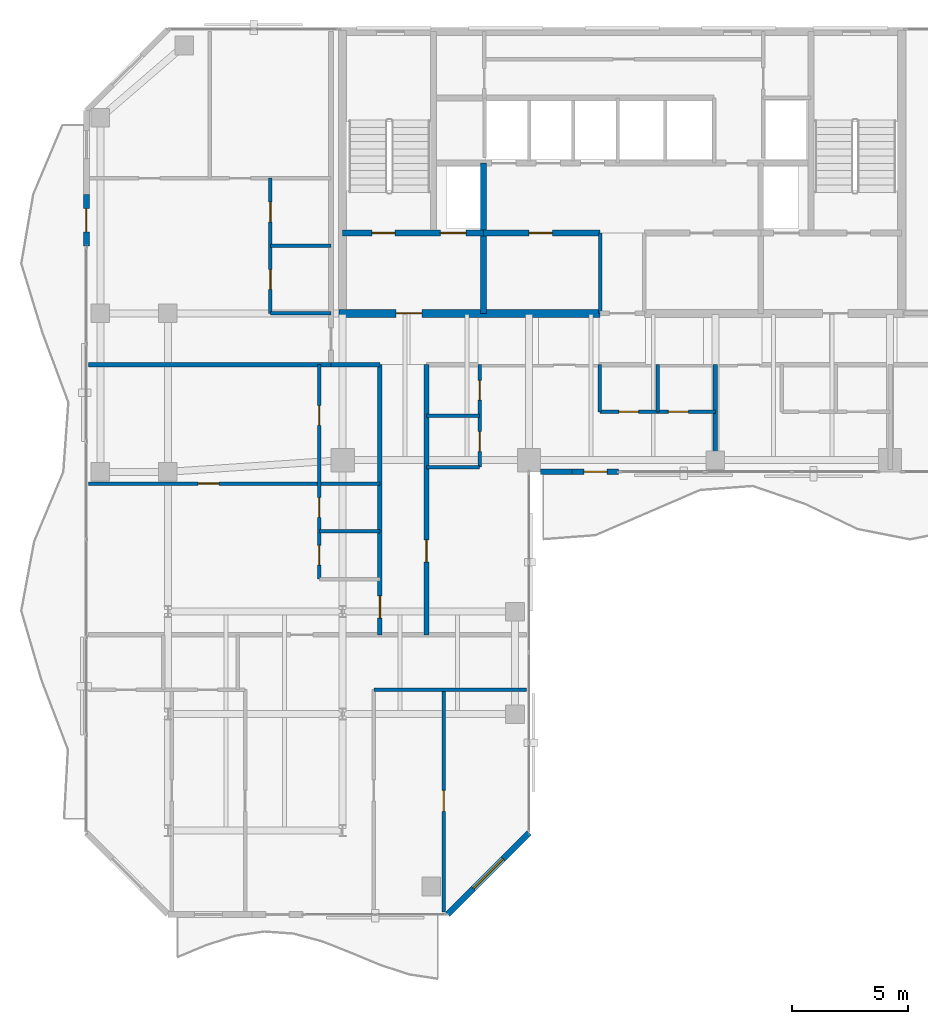
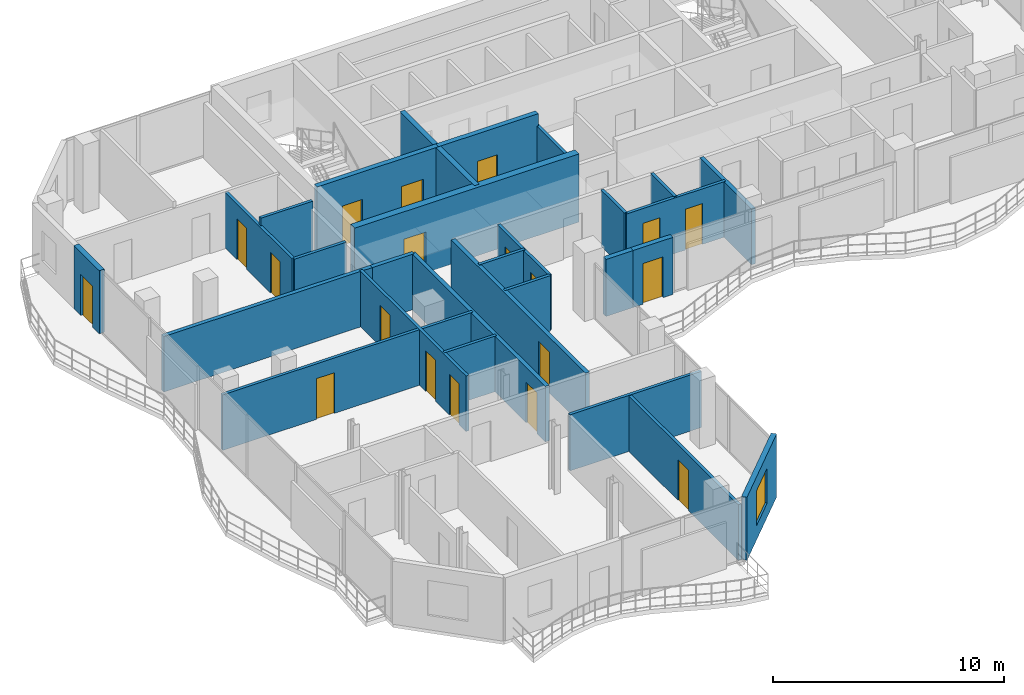
# One storey, part 18 of 24: 28 walls, 19 doors, 1 window, 20 openings.
"""IFC4 building model written with IfcOpenShell, lengths in metres."""

from ifc_helpers import new_model, si_unit, direction, frame, frame_2d, origin, place, context, subcontext, project, spatial, rectangle, extrude, material, layer, layer_set, type_object, element, fill, save


model = new_model("IFC4")

# Units and contexts
model_context = context("Model", 3, precision=1e-05, world=origin(), true_north=direction((0.0, 1.0)))
body_context = subcontext(model_context, "Body", "Model", "MODEL_VIEW")
ifc_project = project(units=[si_unit("LENGTHUNIT", "METRE"), si_unit("AREAUNIT", "SQUARE_METRE"), si_unit("VOLUMEUNIT", "CUBIC_METRE"), si_unit("PLANEANGLEUNIT", "RADIAN"), si_unit("MASSUNIT", "GRAM", prefix="KILO")], contexts=[model_context])

# Site, building, storey
site_placement = place(None, origin())
site = spatial("IfcSite", under=ifc_project, at=site_placement, CompositionType="ELEMENT")
building_placement = place(site_placement, origin())
building = spatial("IfcBuilding", under=site, at=building_placement, Name="Catumbela Crestline Tower", CompositionType="ELEMENT")
storey_placement = place(building_placement, frame((0.0, 0.0, 161.4)))
storey = spatial("IfcBuildingStorey", under=building, at=storey_placement, Name="L41", CompositionType="ELEMENT", Elevation=161.4)

# Wall
ifc_material_1 = material(Name="Concrete C50/60", Category="concrete")
ifc_layer_1 = layer(ifc_material_1, 0.25, Name="Concrete C50/60")
ifc_layer_set_1 = layer_set([ifc_layer_1], Name="Concrete C50/60")
wall_type_1 = type_object("IfcWallType", Name="CW-250D", PredefinedType="SHEAR", material=ifc_layer_set_1)
wall_1_placement = place(storey_placement, frame((22.05, 30.8, 0.0), z_axis=(0.0, 0.0, 1.0), x_axis=(0.0, 1.0, 0.0)))
element("IfcWall", 1, at=wall_1_placement, inside=storey, type_object=wall_type_1, Name="L41 Structural Core Shear Wall FFW", PredefinedType="SHEAR", context=body_context, shape_type="SweptSolid", body=[
    extrude(rectangle(XDim=6.45, YDim=0.25, at=frame_2d((3.225, 0.0))), origin(), (0.0, 0.0, 1.0), 3.6),
])

# Wall, openings, doors
wall_2_placement = place(storey_placement, frame((16.0, 34.25, 0.0), z_axis=(0.0, 0.0, 1.0), x_axis=(1.0, 0.0, 0.0)))
wall_2 = element("IfcWall", 2, at=wall_2_placement, inside=storey, type_object=wall_type_1, Name="L41 Structural Core Shear Wall ST1S", PredefinedType="SHEAR", context=body_context, shape_type="SweptSolid", body=[
    extrude(rectangle(XDim=6.05, YDim=0.25, at=frame_2d((3.025, 0.0))), origin(), (0.0, 0.0, 1.0), 3.6),
])
opening_1_placement = place(wall_2_placement, frame((1.25, 0.0, 0.0)))
opening_1 = element("IfcOpeningElement", 3, at=opening_1_placement, cuts=wall_2, Name="Opening DF9-100", PredefinedType="OPENING", context=body_context, shape_type="SweptSolid", body=[
    extrude(rectangle(XDim=1.0, YDim=2.15, at=frame_2d((0.5, 1.075))), frame((0.0, 0.135, 0.0), z_axis=(0.0, -1.0, 0.0), x_axis=(1.0, 0.0, 0.0)), (0.0, 0.0, 1.0), 0.27),
])
opening_2_placement = place(wall_2_placement, frame((4.2, 0.0, 0.0)))
opening_2 = element("IfcOpeningElement", 4, at=opening_2_placement, cuts=wall_2, Name="Opening LD-110", PredefinedType="OPENING", context=body_context, shape_type="SweptSolid", body=[
    extrude(rectangle(XDim=1.1, YDim=2.15, at=frame_2d((0.55, 1.075))), frame((0.0, 0.135, 0.0), z_axis=(0.0, -1.0, 0.0), x_axis=(1.0, 0.0, 0.0)), (0.0, 0.0, 1.0), 0.27),
])
ifc_material_2 = material(Name="Stainless steel EN 1.4401", Category="steel")
door_type_1 = type_object("IfcDoorType", Name="DF9-100", OperationType="NOTDEFINED", PredefinedType="DOOR", material=ifc_material_2)
door_1_placement = place(opening_1_placement, origin())
door_1 = element("IfcDoor", 5, at=door_1_placement, inside=storey, type_object=door_type_1, Name="L41 Interior Door DR-L41-ST01", OperationType="SINGLE_SWING_LEFT", OverallHeight=2.15, OverallWidth=1.0, PredefinedType="DOOR", context=body_context, shape_type="SweptSolid", body=[
    extrude(rectangle(XDim=1.0, YDim=2.15, at=frame_2d((0.5, 1.075))), frame((0.0, 0.025, 0.0), z_axis=(0.0, -1.0, 0.0), x_axis=(1.0, 0.0, 0.0)), (0.0, 0.0, 1.0), 0.05),
])
fill(opening_1, door_1)
door_type_2 = type_object("IfcDoorType", Name="LD-110", OperationType="NOTDEFINED", PredefinedType="DOOR", material=ifc_material_2)
door_2_placement = place(opening_2_placement, origin())
door_2 = element("IfcDoor", 6, at=door_2_placement, inside=storey, type_object=door_type_2, Name="L41 Lift Landing Sliding Door FL-01", OperationType="DOUBLE_DOOR_SLIDING", OverallHeight=2.15, OverallWidth=1.1, PredefinedType="DOOR", context=body_context, shape_type="SweptSolid", body=[
    extrude(rectangle(XDim=1.1, YDim=2.15, at=frame_2d((0.55, 1.075))), frame((0.0, 0.025, 0.0), z_axis=(0.0, -1.0, 0.0), x_axis=(1.0, 0.0, 0.0)), (0.0, 0.0, 1.0), 0.05),
])
fill(opening_2, door_2)

# Wall, opening, door
wall_3_placement = place(storey_placement, frame((22.05, 34.25, 0.0), z_axis=(0.0, 0.0, 1.0), x_axis=(1.0, 0.0, 0.0)))
wall_3 = element("IfcWall", 7, at=wall_3_placement, inside=storey, type_object=wall_type_1, Name="L41 Structural Core Shear Wall LIFTS-W", PredefinedType="SHEAR", context=body_context, shape_type="SweptSolid", body=[
    extrude(rectangle(XDim=5.0, YDim=0.25, at=frame_2d((2.5, 0.0))), origin(), (0.0, 0.0, 1.0), 3.6),
])
opening_3_placement = place(wall_3_placement, frame((1.95, 0.0, 0.0)))
opening_3 = element("IfcOpeningElement", 8, at=opening_3_placement, cuts=wall_3, Name="Opening DF9-100", PredefinedType="OPENING", context=body_context, shape_type="SweptSolid", body=[
    extrude(rectangle(XDim=1.0, YDim=2.15, at=frame_2d((0.5, 1.075))), frame((0.0, 0.135, 0.0), z_axis=(0.0, -1.0, 0.0), x_axis=(1.0, 0.0, 0.0)), (0.0, 0.0, 1.0), 0.27),
])
door_3_placement = place(opening_3_placement, origin())
door_3 = element("IfcDoor", 9, at=door_3_placement, inside=storey, type_object=door_type_1, Name="L41 Interior Door DR-L41-RECL1", OperationType="SINGLE_SWING_LEFT", OverallHeight=2.15, OverallWidth=1.0, PredefinedType="DOOR", context=body_context, shape_type="SweptSolid", body=[
    extrude(rectangle(XDim=1.0, YDim=2.15, at=frame_2d((0.5, 1.075))), frame((0.0, 0.025, 0.0), z_axis=(0.0, -1.0, 0.0), x_axis=(1.0, 0.0, 0.0)), (0.0, 0.0, 1.0), 0.05),
])
fill(opening_3, door_3)

ifc_layer_2 = layer(ifc_material_1, 0.35, Name="Concrete C50/60")
ifc_layer_set_2 = layer_set([ifc_layer_2], Name="Concrete C50/60")
wall_type_2 = type_object("IfcWallType", Name="CW-350B", PredefinedType="SHEAR", material=ifc_layer_set_2)
wall_4_placement = place(storey_placement, frame((15.85, 30.8, 0.0), z_axis=(0.0, 0.0, 1.0), x_axis=(1.0, 0.0, 0.0)))
wall_4 = element("IfcWall", 10, at=wall_4_placement, inside=storey, type_object=wall_type_2, Name="L41 Structural Core Shear Wall SW", PredefinedType="SHEAR", context=body_context, shape_type="SweptSolid", body=[
    extrude(rectangle(XDim=11.2, YDim=0.35, at=frame_2d((5.6, 0.0))), origin(), (0.0, 0.0, 1.0), 3.6),
])
opening_4_placement = place(wall_4_placement, frame((2.45, 0.0, 0.0)))
opening_4 = element("IfcOpeningElement", 11, at=opening_4_placement, cuts=wall_4, Name="Opening DF9-110", PredefinedType="OPENING", context=body_context, shape_type="SweptSolid", body=[
    extrude(rectangle(XDim=1.1, YDim=2.15, at=frame_2d((0.55, 1.075))), frame((0.0, 0.185, 0.0), z_axis=(0.0, -1.0, 0.0), x_axis=(1.0, 0.0, 0.0)), (0.0, 0.0, 1.0), 0.37),
])
door_type_3 = type_object("IfcDoorType", Name="DF9-110", OperationType="NOTDEFINED", PredefinedType="DOOR", material=ifc_material_2)
door_4_placement = place(opening_4_placement, origin())
door_4 = element("IfcDoor", 12, at=door_4_placement, inside=storey, type_object=door_type_3, Name="L41 Interior Door DR-L41-FFW-S", OperationType="SINGLE_SWING_LEFT", OverallHeight=2.15, OverallWidth=1.1, PredefinedType="DOOR", context=body_context, shape_type="SweptSolid", body=[
    extrude(rectangle(XDim=1.1, YDim=2.15, at=frame_2d((0.55, 1.075))), frame((0.0, 0.025, 0.0), z_axis=(0.0, -1.0, 0.0), x_axis=(1.0, 0.0, 0.0)), (0.0, 0.0, 1.0), 0.05),
])
fill(opening_4, door_4)

# Wall
ifc_material_3 = material(Name="Acoustic gypsum and mineral-wool partition")
ifc_layer_3 = layer(ifc_material_3, 0.2, Name="Acoustic gypsum and mineral-wool partition")
ifc_layer_set_3 = layer_set([ifc_layer_3], Name="Acoustic gypsum and mineral-wool partition")
wall_type_3 = type_object("IfcWallType", Name="WC-200", PredefinedType="PARTITIONING", material=ifc_layer_set_3)
wall_5_placement = place(storey_placement, frame((15.5, 28.6, 0.0), z_axis=(0.0, 0.0, 1.0), x_axis=(1.0, 0.0, 0.0)))
element("IfcWall", 13, at=wall_5_placement, inside=storey, type_object=wall_type_3, Name="L41 Interior Partition PW-L41-RCWL", PredefinedType="PARTITIONING", context=body_context, shape_type="SweptSolid", body=[
    extrude(rectangle(XDim=2.1, YDim=0.2, at=frame_2d((1.05, 0.0))), origin(), (0.0, 0.0, 1.0), 2.93),
])

# Wall, opening, door
wall_6_placement = place(storey_placement, frame((17.6, 17.0, 0.0), z_axis=(0.0, 0.0, 1.0), x_axis=(0.0, 1.0, 0.0)))
wall_6 = element("IfcWall", 14, at=wall_6_placement, inside=storey, type_object=wall_type_3, Name="L41 Interior Partition PW-L41-WL1-ENT", PredefinedType="PARTITIONING", context=body_context, shape_type="SweptSolid", body=[
    extrude(rectangle(XDim=11.6, YDim=0.2, at=frame_2d((5.8, 0.0))), origin(), (0.0, 0.0, 1.0), 2.93),
])
opening_5_placement = place(wall_6_placement, frame((0.723, 0.0, 0.0)))
opening_5 = element("IfcOpeningElement", 15, at=opening_5_placement, cuts=wall_6, Name="Opening DF6-095", PredefinedType="OPENING", context=body_context, shape_type="SweptSolid", body=[
    extrude(rectangle(XDim=0.95, YDim=2.15, at=frame_2d((0.475, 1.075))), frame((0.0, 0.11, 0.0), z_axis=(0.0, -1.0, 0.0), x_axis=(1.0, 0.0, 0.0)), (0.0, 0.0, 1.0), 0.22),
])
ifc_material_4 = material(Name="Aluminium alloy AW-6060-T66", Category="aluminium")
door_type_4 = type_object("IfcDoorType", Name="DF6-095", OperationType="NOTDEFINED", PredefinedType="DOOR", material=ifc_material_4)
door_5_placement = place(opening_5_placement, origin())
door_5 = element("IfcDoor", 16, at=door_5_placement, inside=storey, type_object=door_type_4, Name="L41 Interior Door DR-L41-WL1-ENT", OperationType="SINGLE_SWING_RIGHT", OverallHeight=2.15, OverallWidth=0.95, PredefinedType="DOOR", context=body_context, shape_type="SweptSolid", body=[
    extrude(rectangle(XDim=0.95, YDim=2.15, at=frame_2d((0.475, 1.075))), frame((0.0, 0.025, 0.0), z_axis=(0.0, -1.0, 0.0), x_axis=(1.0, 0.0, 0.0)), (0.0, 0.0, 1.0), 0.05),
])
fill(opening_5, door_5)

wall_7_placement = place(storey_placement, frame((19.6, 17.0, 0.0), z_axis=(0.0, 0.0, 1.0), x_axis=(0.0, 1.0, 0.0)))
wall_7 = element("IfcWall", 17, at=wall_7_placement, inside=storey, type_object=wall_type_3, Name="L41 Interior Partition PW-L41-WR1-ENT", PredefinedType="PARTITIONING", context=body_context, shape_type="SweptSolid", body=[
    extrude(rectangle(XDim=11.6, YDim=0.2, at=frame_2d((5.8, 0.0))), origin(), (0.0, 0.0, 1.0), 2.93),
])
opening_6_placement = place(wall_7_placement, frame((3.125, 0.0, 0.0)))
opening_6 = element("IfcOpeningElement", 18, at=opening_6_placement, cuts=wall_7, Name="Opening DF6-095", PredefinedType="OPENING", context=body_context, shape_type="SweptSolid", body=[
    extrude(rectangle(XDim=0.95, YDim=2.15, at=frame_2d((0.475, 1.075))), frame((0.0, 0.11, 0.0), z_axis=(0.0, -1.0, 0.0), x_axis=(1.0, 0.0, 0.0)), (0.0, 0.0, 1.0), 0.22),
])
door_6_placement = place(opening_6_placement, origin())
door_6 = element("IfcDoor", 19, at=door_6_placement, inside=storey, type_object=door_type_4, Name="L41 Interior Door DR-L41-WR1-ENT", OperationType="SINGLE_SWING_LEFT", OverallHeight=2.15, OverallWidth=0.95, PredefinedType="DOOR", context=body_context, shape_type="SweptSolid", body=[
    extrude(rectangle(XDim=0.95, YDim=2.15, at=frame_2d((0.475, 1.075))), frame((0.0, 0.025, 0.0), z_axis=(0.0, -1.0, 0.0), x_axis=(1.0, 0.0, 0.0)), (0.0, 0.0, 1.0), 0.05),
])
fill(opening_6, door_6)

# Wall, opening, window
ifc_material_5 = material(Name="Angolan grey-ochre granite", Category="masonry")
ifc_layer_4 = layer(ifc_material_5, 0.25, Name="Angolan grey-ochre granite")
ifc_layer_set_4 = layer_set([ifc_layer_4], Name="Angolan grey-ochre granite")
wall_type_4 = type_object("IfcWallType", Name="WE-250", PredefinedType="STANDARD", material=ifc_layer_set_4)
wall_8_placement = place(storey_placement, frame((20.5, 5.0, 0.0), z_axis=(0.0, 0.0, 1.0), x_axis=(0.707106781187, 0.707106781187, 0.0)))
wall_8 = element("IfcWall", 20, at=wall_8_placement, inside=storey, type_object=wall_type_4, Name="L41 Granite Punched Window Wall 1-1", PredefinedType="STANDARD", context=body_context, shape_type="SweptSolid", body=[
    extrude(rectangle(XDim=4.9497, YDim=0.25, at=frame_2d((2.4748, 0.0))), origin(), (0.0, 0.0, 1.0), 3.33),
])
opening_7_placement = place(wall_8_placement, frame((1.5749, 0.0, 0.75)))
opening_7 = element("IfcOpeningElement", 21, at=opening_7_placement, cuts=wall_8, Name="Opening WN-01", PredefinedType="OPENING", context=body_context, shape_type="SweptSolid", body=[
    extrude(rectangle(XDim=1.8, YDim=1.85, at=frame_2d((0.9, 0.925))), frame((0.0, 0.135, 0.0), z_axis=(0.0, -1.0, 0.0), x_axis=(1.0, 0.0, 0.0)), (0.0, 0.0, 1.0), 0.27),
])
ifc_material_6 = material(Name="Low-E laminated solar-control double glazing", Category="glass")
window_type = type_object("IfcWindowType", Name="WF-1800", PartitioningType="SINGLE_PANEL", PredefinedType="WINDOW", material=ifc_material_6)
window_placement = place(opening_7_placement, origin())
window = element("IfcWindow", 22, at=window_placement, inside=storey, type_object=window_type, Name="L41 Facade Vision Window 237", OverallHeight=1.85, OverallWidth=1.8, PartitioningType="SINGLE_PANEL", PredefinedType="WINDOW", context=body_context, shape_type="SweptSolid", body=[
    extrude(rectangle(XDim=1.8, YDim=1.85, at=frame_2d((0.9, 0.925))), frame((0.0, 0.03, 0.0), z_axis=(0.0, -1.0, 0.0), x_axis=(1.0, 0.0, 0.0)), (0.0, 0.0, 1.0), 0.06),
])
fill(opening_7, window)

# Wall, opening, door
wall_9_placement = place(storey_placement, frame((25.85, 24.0, 0.0), z_axis=(0.0, 0.0, 1.0), x_axis=(1.0, 0.0, 0.0)))
wall_9 = element("IfcWall", 23, at=wall_9_placement, inside=storey, type_object=wall_type_4, Name="L41 Exterior Threshold Portal Wall DR-L41-WBAL-1", PredefinedType="STANDARD", context=body_context, shape_type="SweptSolid", body=[
    extrude(rectangle(XDim=2.0, YDim=0.25, at=frame_2d((1.0, 0.0))), origin(), (0.0, 0.0, 1.0), 3.01),
])
opening_8_placement = place(wall_9_placement, frame((0.5, 0.0, 0.0)))
opening_8 = element("IfcOpeningElement", 24, at=opening_8_placement, cuts=wall_9, Name="Opening DB-L41-1", PredefinedType="OPENING", context=body_context, shape_type="SweptSolid", body=[
    extrude(rectangle(XDim=1.0, YDim=2.15, at=frame_2d((0.5, 1.075))), frame((0.0, 0.135, 0.0), z_axis=(0.0, -1.0, 0.0), x_axis=(1.0, 0.0, 0.0)), (0.0, 0.0, 1.0), 0.27),
])
door_type_5 = type_object("IfcDoorType", Name="DB-1000", OperationType="NOTDEFINED", PredefinedType="DOOR", material=ifc_material_4)
door_7_placement = place(opening_8_placement, origin())
door_7 = element("IfcDoor", 25, at=door_7_placement, inside=storey, type_object=door_type_5, Name="L41 Wave Balcony Terrace Door 1", OperationType="SINGLE_SWING_LEFT", OverallHeight=2.15, OverallWidth=1.0, PredefinedType="DOOR", context=body_context, shape_type="SweptSolid", body=[
    extrude(rectangle(XDim=1.0, YDim=2.15, at=frame_2d((0.5, 1.075))), frame((0.0, 0.025, 0.0), z_axis=(0.0, -1.0, 0.0), x_axis=(1.0, 0.0, 0.0)), (0.0, 0.0, 1.0), 0.05),
])
fill(opening_8, door_7)

# Wall
wall_10_placement = place(storey_placement, frame((24.5, 24.0, 0.0), z_axis=(0.0, 0.0, 1.0), x_axis=(1.0, 0.0, 0.0)))
element("IfcWall", 26, at=wall_10_placement, inside=storey, type_object=wall_type_4, Name="L41 Granite Punched Window Wall 3-1", PredefinedType="STANDARD", context=body_context, shape_type="SweptSolid", body=[
    extrude(rectangle(XDim=1.35, YDim=0.25, at=frame_2d((0.675, 0.0))), origin(), (0.0, 0.0, 1.0), 3.01),
])

# Wall, opening, door
wall_11_placement = place(storey_placement, frame((5.0, 35.9, 0.0), z_axis=(0.0, 0.0, 1.0), x_axis=(0.0, -1.0, 0.0)))
wall_11 = element("IfcWall", 27, at=wall_11_placement, inside=storey, type_object=wall_type_4, Name="L41 Exterior Threshold Portal Wall DR-L41-WBAL-4", PredefinedType="STANDARD", context=body_context, shape_type="SweptSolid", body=[
    extrude(rectangle(XDim=2.2, YDim=0.25, at=frame_2d((1.1, 0.0))), origin(), (0.0, 0.0, 1.0), 3.33),
])
opening_9_placement = place(wall_11_placement, frame((0.6, 0.0, 0.0)))
opening_9 = element("IfcOpeningElement", 28, at=opening_9_placement, cuts=wall_11, Name="Opening DB-L41-4", PredefinedType="OPENING", context=body_context, shape_type="SweptSolid", body=[
    extrude(rectangle(XDim=1.0, YDim=2.15, at=frame_2d((0.5, 1.075))), frame((0.0, 0.135, 0.0), z_axis=(0.0, -1.0, 0.0), x_axis=(1.0, 0.0, 0.0)), (0.0, 0.0, 1.0), 0.27),
])
door_8_placement = place(opening_9_placement, origin())
door_8 = element("IfcDoor", 29, at=door_8_placement, inside=storey, type_object=door_type_5, Name="L41 Wave Balcony Terrace Door 4", OperationType="SINGLE_SWING_RIGHT", OverallHeight=2.15, OverallWidth=1.0, PredefinedType="DOOR", context=body_context, shape_type="SweptSolid", body=[
    extrude(rectangle(XDim=1.0, YDim=2.15, at=frame_2d((0.5, 1.075))), frame((0.0, 0.025, 0.0), z_axis=(0.0, -1.0, 0.0), x_axis=(1.0, 0.0, 0.0)), (0.0, 0.0, 1.0), 0.05),
])
fill(opening_9, door_8)

# Walls
ifc_layer_5 = layer(ifc_material_3, 0.15, Name="Acoustic gypsum and mineral-wool partition")
ifc_layer_set_5 = layer_set([ifc_layer_5], Name="Acoustic gypsum and mineral-wool partition")
wall_type_5 = type_object("IfcWallType", Name="WP-150", PredefinedType="PARTITIONING", material=ifc_layer_set_5)
wall_12_placement = place(storey_placement, frame((12.9, 30.8, 0.0), z_axis=(0.0, 0.0, 1.0), x_axis=(1.0, 0.0, 0.0)))
element("IfcWall", 30, at=wall_12_placement, inside=storey, type_object=wall_type_5, Name="L41 Interior Partition PW-L41-NW1-KBS", PredefinedType="PARTITIONING", context=body_context, shape_type="SweptSolid", body=[
    extrude(rectangle(XDim=2.6, YDim=0.15, at=frame_2d((1.3, 0.0))), origin(), (0.0, 0.0, 1.0), 2.93),
])
wall_13_placement = place(storey_placement, frame((12.9, 33.704, 0.0), z_axis=(0.0, 0.0, 1.0), x_axis=(1.0, 0.0, 0.0)))
element("IfcWall", 31, at=wall_13_placement, inside=storey, type_object=wall_type_5, Name="L41 Interior Partition PW-L41-NW1-KBM", PredefinedType="PARTITIONING", context=body_context, shape_type="SweptSolid", body=[
    extrude(rectangle(XDim=2.6, YDim=0.15, at=frame_2d((1.3, 0.0))), origin(), (0.0, 0.0, 1.0), 3.33),
])

# Wall, openings, doors
wall_14_placement = place(storey_placement, frame((12.9, 30.8, 0.0), z_axis=(0.0, 0.0, 1.0), x_axis=(0.0, 1.0, 0.0)))
wall_14 = element("IfcWall", 32, at=wall_14_placement, inside=storey, type_object=wall_type_5, Name="L41 Interior Partition PW-L41-NW1-LK", PredefinedType="PARTITIONING", context=body_context, shape_type="SweptSolid", body=[
    extrude(rectangle(XDim=5.808, YDim=0.15, at=frame_2d((2.904, 0.0))), origin(), (0.0, 0.0, 1.0), 2.93),
])
opening_10_placement = place(wall_14_placement, frame((1.027, 0.0, 0.0)))
opening_10 = element("IfcOpeningElement", 33, at=opening_10_placement, cuts=wall_14, Name="Opening DI-085", PredefinedType="OPENING", context=body_context, shape_type="SweptSolid", body=[
    extrude(rectangle(XDim=0.85, YDim=2.15, at=frame_2d((0.425, 1.075))), frame((0.0, 0.085, 0.0), z_axis=(0.0, -1.0, 0.0), x_axis=(1.0, 0.0, 0.0)), (0.0, 0.0, 1.0), 0.17),
])
opening_11_placement = place(wall_14_placement, frame((3.931, 0.0, 0.0)))
opening_11 = element("IfcOpeningElement", 34, at=opening_11_placement, cuts=wall_14, Name="Opening DI-085", PredefinedType="OPENING", context=body_context, shape_type="SweptSolid", body=[
    extrude(rectangle(XDim=0.85, YDim=2.15, at=frame_2d((0.425, 1.075))), frame((0.0, 0.085, 0.0), z_axis=(0.0, -1.0, 0.0), x_axis=(1.0, 0.0, 0.0)), (0.0, 0.0, 1.0), 0.17),
])
door_type_6 = type_object("IfcDoorType", Name="DI-085", OperationType="NOTDEFINED", PredefinedType="DOOR", material=ifc_material_4)
door_9_placement = place(opening_10_placement, origin())
door_9 = element("IfcDoor", 35, at=door_9_placement, inside=storey, type_object=door_type_6, Name="L41 Interior Door DR-L41-NW1-KIT", OperationType="SINGLE_SWING_LEFT", OverallHeight=2.15, OverallWidth=0.85, PredefinedType="DOOR", context=body_context, shape_type="SweptSolid", body=[
    extrude(rectangle(XDim=0.85, YDim=2.15, at=frame_2d((0.425, 1.075))), frame((0.0, 0.025, 0.0), z_axis=(0.0, -1.0, 0.0), x_axis=(1.0, 0.0, 0.0)), (0.0, 0.0, 1.0), 0.05),
])
fill(opening_10, door_9)
door_10_placement = place(opening_11_placement, origin())
door_10 = element("IfcDoor", 36, at=door_10_placement, inside=storey, type_object=door_type_6, Name="L41 Interior Door DR-L41-NW1-BTH", OperationType="SINGLE_SWING_RIGHT", OverallHeight=2.15, OverallWidth=0.85, PredefinedType="DOOR", context=body_context, shape_type="SweptSolid", body=[
    extrude(rectangle(XDim=0.85, YDim=2.15, at=frame_2d((0.425, 1.075))), frame((0.0, 0.025, 0.0), z_axis=(0.0, -1.0, 0.0), x_axis=(1.0, 0.0, 0.0)), (0.0, 0.0, 1.0), 0.05),
])
fill(opening_11, door_10)

# Walls
for number, where, z_axis, x_axis, name in (
    (37, (27.04, 26.576, 0.0), (0.0, 0.0, 1.0), (0.0, 1.0, 0.0), "L41 Interior Partition PW-L41-S1-KBW"),
    (38, (29.52, 26.576, 0.0), (0.0, 0.0, 1.0), (0.0, 1.0, 0.0), "L41 Interior Partition PW-L41-S1-KBM"),
):
    element("IfcWall", number, at=place(storey_placement, frame(where, z_axis=z_axis, x_axis=x_axis)), inside=storey, type_object=wall_type_5, Name=name, PredefinedType="PARTITIONING", context=body_context, shape_type="SweptSolid", body=[
        extrude(rectangle(XDim=2.024, YDim=0.15, at=frame_2d((1.012, 0.0))), origin(), (0.0, 0.0, 1.0), 2.96),
    ])

# Wall, openings, doors
wall_15_placement = place(storey_placement, frame((27.04, 26.576, 0.0), z_axis=(0.0, 0.0, 1.0), x_axis=(1.0, 0.0, 0.0)))
wall_15 = element("IfcWall", 39, at=wall_15_placement, inside=storey, type_object=wall_type_5, Name="L41 Interior Partition PW-L41-S1-KBD1", PredefinedType="PARTITIONING", context=body_context, shape_type="SweptSolid", body=[
    extrude(rectangle(XDim=4.96, YDim=0.15, at=frame_2d((2.48, 0.0))), origin(), (0.0, 0.0, 1.0), 2.93),
])
opening_12_placement = place(wall_15_placement, frame((0.815, 0.0, 0.0)))
opening_12 = element("IfcOpeningElement", 40, at=opening_12_placement, cuts=wall_15, Name="Opening DI-085", PredefinedType="OPENING", context=body_context, shape_type="SweptSolid", body=[
    extrude(rectangle(XDim=0.85, YDim=2.15, at=frame_2d((0.425, 1.075))), frame((0.0, 0.085, 0.0), z_axis=(0.0, -1.0, 0.0), x_axis=(1.0, 0.0, 0.0)), (0.0, 0.0, 1.0), 0.17),
])
opening_13_placement = place(wall_15_placement, frame((2.9475, 0.0, 0.0)))
opening_13 = element("IfcOpeningElement", 41, at=opening_13_placement, cuts=wall_15, Name="Opening DI-085", PredefinedType="OPENING", context=body_context, shape_type="SweptSolid", body=[
    extrude(rectangle(XDim=0.85, YDim=2.15, at=frame_2d((0.425, 1.075))), frame((0.0, 0.085, 0.0), z_axis=(0.0, -1.0, 0.0), x_axis=(1.0, 0.0, 0.0)), (0.0, 0.0, 1.0), 0.17),
])
door_11_placement = place(opening_12_placement, origin())
door_11 = element("IfcDoor", 42, at=door_11_placement, inside=storey, type_object=door_type_6, Name="L41 Interior Door DR-L41-S1-BTH", OperationType="SINGLE_SWING_LEFT", OverallHeight=2.15, OverallWidth=0.85, PredefinedType="DOOR", context=body_context, shape_type="SweptSolid", body=[
    extrude(rectangle(XDim=0.85, YDim=2.15, at=frame_2d((0.425, 1.075))), frame((0.0, 0.025, 0.0), z_axis=(0.0, -1.0, 0.0), x_axis=(1.0, 0.0, 0.0)), (0.0, 0.0, 1.0), 0.05),
])
fill(opening_12, door_11)
door_12_placement = place(opening_13_placement, origin())
door_12 = element("IfcDoor", 43, at=door_12_placement, inside=storey, type_object=door_type_6, Name="L41 Interior Door DR-L41-S1-KIT", OperationType="SINGLE_SWING_RIGHT", OverallHeight=2.15, OverallWidth=0.85, PredefinedType="DOOR", context=body_context, shape_type="SweptSolid", body=[
    extrude(rectangle(XDim=0.85, YDim=2.15, at=frame_2d((0.425, 1.075))), frame((0.0, 0.025, 0.0), z_axis=(0.0, -1.0, 0.0), x_axis=(1.0, 0.0, 0.0)), (0.0, 0.0, 1.0), 0.05),
])
fill(opening_13, door_12)

# Wall
wall_16_placement = place(storey_placement, frame((15.0, 21.446, 0.0), z_axis=(0.0, 0.0, 1.0), x_axis=(1.0, 0.0, 0.0)))
element("IfcWall", 44, at=wall_16_placement, inside=storey, type_object=wall_type_5, Name="L41 Interior Partition PW-L41-WL1-KBM", PredefinedType="PARTITIONING", context=body_context, shape_type="SweptSolid", body=[
    extrude(rectangle(XDim=2.6, YDim=0.15, at=frame_2d((1.3, 0.0))), origin(), (0.0, 0.0, 1.0), 2.93),
])

# Wall, opening, door
wall_17_placement = place(storey_placement, frame((5.1, 23.496, 0.0), z_axis=(0.0, 0.0, 1.0), x_axis=(1.0, 0.0, 0.0)))
wall_17 = element("IfcWall", 45, at=wall_17_placement, inside=storey, type_object=wall_type_5, Name="L41 Interior Partition PW-L41-WL1-KBN", PredefinedType="PARTITIONING", context=body_context, shape_type="SweptSolid", body=[
    extrude(rectangle(XDim=12.5, YDim=0.15, at=frame_2d((6.25, 0.0))), origin(), (0.0, 0.0, 1.0), 2.93),
])
opening_14_placement = place(wall_17_placement, frame((4.6918, 0.0, 0.0)))
opening_14 = element("IfcOpeningElement", 46, at=opening_14_placement, cuts=wall_17, Name="Opening DI-090", PredefinedType="OPENING", context=body_context, shape_type="SweptSolid", body=[
    extrude(rectangle(XDim=0.9, YDim=2.15, at=frame_2d((0.45, 1.075))), frame((0.0, 0.085, 0.0), z_axis=(0.0, -1.0, 0.0), x_axis=(1.0, 0.0, 0.0)), (0.0, 0.0, 1.0), 0.17),
])
door_type_7 = type_object("IfcDoorType", Name="DI-090", OperationType="NOTDEFINED", PredefinedType="DOOR", material=ifc_material_4)
door_13_placement = place(opening_14_placement, origin())
door_13 = element("IfcDoor", 47, at=door_13_placement, inside=storey, type_object=door_type_7, Name="L41 Interior Door DR-L41-WL1-BD1", OperationType="SINGLE_SWING_RIGHT", OverallHeight=2.15, OverallWidth=0.9, PredefinedType="DOOR", context=body_context, shape_type="SweptSolid", body=[
    extrude(rectangle(XDim=0.9, YDim=2.15, at=frame_2d((0.45, 1.075))), frame((0.0, 0.025, 0.0), z_axis=(0.0, -1.0, 0.0), x_axis=(1.0, 0.0, 0.0)), (0.0, 0.0, 1.0), 0.05),
])
fill(opening_14, door_13)

# Wall, openings, doors
wall_18_placement = place(storey_placement, frame((15.0, 19.396, 0.0), z_axis=(0.0, 0.0, 1.0), x_axis=(0.0, 1.0, 0.0)))
wall_18 = element("IfcWall", 48, at=wall_18_placement, inside=storey, type_object=wall_type_5, Name="L41 Interior Partition PW-L41-WL1-LK", PredefinedType="PARTITIONING", context=body_context, shape_type="SweptSolid", body=[
    extrude(rectangle(XDim=9.204, YDim=0.15, at=frame_2d((4.602, 0.0))), origin(), (0.0, 0.0, 1.0), 2.93),
])
opening_15_placement = place(wall_18_placement, frame((0.6, 0.0, 0.0)))
opening_15 = element("IfcOpeningElement", 49, at=opening_15_placement, cuts=wall_18, Name="Opening DI-085", PredefinedType="OPENING", context=body_context, shape_type="SweptSolid", body=[
    extrude(rectangle(XDim=0.85, YDim=2.15, at=frame_2d((0.425, 1.075))), frame((0.0, 0.085, 0.0), z_axis=(0.0, -1.0, 0.0), x_axis=(1.0, 0.0, 0.0)), (0.0, 0.0, 1.0), 0.17),
])
opening_16_placement = place(wall_18_placement, frame((2.65, 0.0, 0.0)))
opening_16 = element("IfcOpeningElement", 50, at=opening_16_placement, cuts=wall_18, Name="Opening DI-085", PredefinedType="OPENING", context=body_context, shape_type="SweptSolid", body=[
    extrude(rectangle(XDim=0.85, YDim=2.15, at=frame_2d((0.425, 1.075))), frame((0.0, 0.085, 0.0), z_axis=(0.0, -1.0, 0.0), x_axis=(1.0, 0.0, 0.0)), (0.0, 0.0, 1.0), 0.17),
])
opening_17_placement = place(wall_18_placement, frame((6.5927, 0.0, 0.0)))
opening_17 = element("IfcOpeningElement", 51, at=opening_17_placement, cuts=wall_18, Name="Opening DI-085", PredefinedType="OPENING", context=body_context, shape_type="SweptSolid", body=[
    extrude(rectangle(XDim=0.85, YDim=2.15, at=frame_2d((0.425, 1.075))), frame((0.0, 0.085, 0.0), z_axis=(0.0, -1.0, 0.0), x_axis=(1.0, 0.0, 0.0)), (0.0, 0.0, 1.0), 0.17),
])
door_14_placement = place(opening_15_placement, origin())
door_14 = element("IfcDoor", 52, at=door_14_placement, inside=storey, type_object=door_type_6, Name="L41 Interior Door DR-L41-WL1-KIT", OperationType="SINGLE_SWING_LEFT", OverallHeight=2.15, OverallWidth=0.85, PredefinedType="DOOR", context=body_context, shape_type="SweptSolid", body=[
    extrude(rectangle(XDim=0.85, YDim=2.15, at=frame_2d((0.425, 1.075))), frame((0.0, 0.025, 0.0), z_axis=(0.0, -1.0, 0.0), x_axis=(1.0, 0.0, 0.0)), (0.0, 0.0, 1.0), 0.05),
])
fill(opening_15, door_14)
door_15_placement = place(opening_16_placement, origin())
door_15 = element("IfcDoor", 53, at=door_15_placement, inside=storey, type_object=door_type_6, Name="L41 Interior Door DR-L41-WL1-BTH", OperationType="SINGLE_SWING_RIGHT", OverallHeight=2.15, OverallWidth=0.85, PredefinedType="DOOR", context=body_context, shape_type="SweptSolid", body=[
    extrude(rectangle(XDim=0.85, YDim=2.15, at=frame_2d((0.425, 1.075))), frame((0.0, 0.025, 0.0), z_axis=(0.0, -1.0, 0.0), x_axis=(1.0, 0.0, 0.0)), (0.0, 0.0, 1.0), 0.05),
])
fill(opening_16, door_15)
door_16_placement = place(opening_17_placement, origin())
door_16 = element("IfcDoor", 54, at=door_16_placement, inside=storey, type_object=door_type_6, Name="L41 Interior Door DR-L41-WL1-WIR", OperationType="SINGLE_SWING_LEFT", OverallHeight=2.15, OverallWidth=0.85, PredefinedType="DOOR", context=body_context, shape_type="SweptSolid", body=[
    extrude(rectangle(XDim=0.85, YDim=2.15, at=frame_2d((0.425, 1.075))), frame((0.0, 0.025, 0.0), z_axis=(0.0, -1.0, 0.0), x_axis=(1.0, 0.0, 0.0)), (0.0, 0.0, 1.0), 0.05),
])
fill(opening_17, door_16)

# Walls
wall_19_placement = place(storey_placement, frame((19.6, 24.2, 0.0), z_axis=(0.0, 0.0, 1.0), x_axis=(1.0, 0.0, 0.0)))
element("IfcWall", 55, at=wall_19_placement, inside=storey, type_object=wall_type_5, Name="L41 Interior Partition PW-L41-WR1-KBS", PredefinedType="PARTITIONING", context=body_context, shape_type="SweptSolid", body=[
    extrude(rectangle(XDim=2.28, YDim=0.15, at=frame_2d((1.14, 0.0))), origin(), (0.0, 0.0, 1.0), 2.93),
])
wall_20_placement = place(storey_placement, frame((19.6, 26.4, 0.0), z_axis=(0.0, 0.0, 1.0), x_axis=(1.0, 0.0, 0.0)))
element("IfcWall", 56, at=wall_20_placement, inside=storey, type_object=wall_type_5, Name="L41 Interior Partition PW-L41-WR1-KBM", PredefinedType="PARTITIONING", context=body_context, shape_type="SweptSolid", body=[
    extrude(rectangle(XDim=2.28, YDim=0.15, at=frame_2d((1.14, 0.0))), origin(), (0.0, 0.0, 1.0), 2.96),
])

# Wall, openings, doors
wall_21_placement = place(storey_placement, frame((21.88, 24.2, 0.0), z_axis=(0.0, 0.0, 1.0), x_axis=(0.0, 1.0, 0.0)))
wall_21 = element("IfcWall", 57, at=wall_21_placement, inside=storey, type_object=wall_type_5, Name="L41 Interior Partition PW-L41-WR1-SK1", PredefinedType="PARTITIONING", context=body_context, shape_type="SweptSolid", body=[
    extrude(rectangle(XDim=4.4, YDim=0.15, at=frame_2d((2.2, 0.0))), origin(), (0.0, 0.0, 1.0), 2.93),
])
opening_18_placement = place(wall_21_placement, frame((0.675, 0.0, 0.0)))
opening_18 = element("IfcOpeningElement", 58, at=opening_18_placement, cuts=wall_21, Name="Opening DI-085", PredefinedType="OPENING", context=body_context, shape_type="SweptSolid", body=[
    extrude(rectangle(XDim=0.85, YDim=2.15, at=frame_2d((0.425, 1.075))), frame((0.0, 0.085, 0.0), z_axis=(0.0, -1.0, 0.0), x_axis=(1.0, 0.0, 0.0)), (0.0, 0.0, 1.0), 0.17),
])
opening_19_placement = place(wall_21_placement, frame((2.875, 0.0, 0.0)))
opening_19 = element("IfcOpeningElement", 59, at=opening_19_placement, cuts=wall_21, Name="Opening DI-085", PredefinedType="OPENING", context=body_context, shape_type="SweptSolid", body=[
    extrude(rectangle(XDim=0.85, YDim=2.15, at=frame_2d((0.425, 1.075))), frame((0.0, 0.085, 0.0), z_axis=(0.0, -1.0, 0.0), x_axis=(1.0, 0.0, 0.0)), (0.0, 0.0, 1.0), 0.17),
])
door_17_placement = place(opening_18_placement, origin())
door_17 = element("IfcDoor", 60, at=door_17_placement, inside=storey, type_object=door_type_6, Name="L41 Interior Door DR-L41-WR1-KIT", OperationType="SINGLE_SWING_LEFT", OverallHeight=2.15, OverallWidth=0.85, PredefinedType="DOOR", context=body_context, shape_type="SweptSolid", body=[
    extrude(rectangle(XDim=0.85, YDim=2.15, at=frame_2d((0.425, 1.075))), frame((0.0, 0.025, 0.0), z_axis=(0.0, -1.0, 0.0), x_axis=(1.0, 0.0, 0.0)), (0.0, 0.0, 1.0), 0.05),
])
fill(opening_18, door_17)
door_18_placement = place(opening_19_placement, origin())
door_18 = element("IfcDoor", 61, at=door_18_placement, inside=storey, type_object=door_type_6, Name="L41 Interior Door DR-L41-WR1-BTH", OperationType="SINGLE_SWING_RIGHT", OverallHeight=2.15, OverallWidth=0.85, PredefinedType="DOOR", context=body_context, shape_type="SweptSolid", body=[
    extrude(rectangle(XDim=0.85, YDim=2.15, at=frame_2d((0.425, 1.075))), frame((0.0, 0.025, 0.0), z_axis=(0.0, -1.0, 0.0), x_axis=(1.0, 0.0, 0.0)), (0.0, 0.0, 1.0), 0.05),
])
fill(opening_19, door_18)

# Wall
wall_22_placement = place(storey_placement, frame((17.34, 14.65, 0.0), z_axis=(0.0, 0.0, 1.0), x_axis=(1.0, 0.0, 0.0)))
element("IfcWall", 62, at=wall_22_placement, inside=storey, type_object=wall_type_5, Name="L41 Interior Partition PW-L41-SH1-BDRH", PredefinedType="PARTITIONING", context=body_context, shape_type="SweptSolid", body=[
    extrude(rectangle(XDim=6.56, YDim=0.15, at=frame_2d((3.28, 0.0))), origin(), (0.0, 0.0, 1.0), 2.96),
])

# Wall, opening, door
wall_23_placement = place(storey_placement, frame((20.34, 5.1, 0.0), z_axis=(0.0, 0.0, 1.0), x_axis=(0.0, 1.0, 0.0)))
wall_23 = element("IfcWall", 63, at=wall_23_placement, inside=storey, type_object=wall_type_5, Name="L41 Interior Partition PW-L41-SH1-BDR", PredefinedType="PARTITIONING", context=body_context, shape_type="SweptSolid", body=[
    extrude(rectangle(XDim=9.55, YDim=0.15, at=frame_2d((4.775, 0.0))), origin(), (0.0, 0.0, 1.0), 2.93),
])
opening_20_placement = place(wall_23_placement, frame((4.325, 0.0, 0.0)))
opening_20 = element("IfcOpeningElement", 64, at=opening_20_placement, cuts=wall_23, Name="Opening DI-090", PredefinedType="OPENING", context=body_context, shape_type="SweptSolid", body=[
    extrude(rectangle(XDim=0.9, YDim=2.15, at=frame_2d((0.45, 1.075))), frame((0.0, 0.085, 0.0), z_axis=(0.0, -1.0, 0.0), x_axis=(1.0, 0.0, 0.0)), (0.0, 0.0, 1.0), 0.17),
])
door_19_placement = place(opening_20_placement, origin())
door_19 = element("IfcDoor", 65, at=door_19_placement, inside=storey, type_object=door_type_7, Name="L41 Interior Door DR-L41-SH1-BD2", OperationType="SINGLE_SWING_RIGHT", OverallHeight=2.15, OverallWidth=0.9, PredefinedType="DOOR", context=body_context, shape_type="SweptSolid", body=[
    extrude(rectangle(XDim=0.9, YDim=2.15, at=frame_2d((0.45, 1.075))), frame((0.0, 0.025, 0.0), z_axis=(0.0, -1.0, 0.0), x_axis=(1.0, 0.0, 0.0)), (0.0, 0.0, 1.0), 0.05),
])
fill(opening_20, door_19)

# Walls
ifc_layer_6 = layer(ifc_material_3, 0.2, Name="Acoustic gypsum and mineral-wool partition")
ifc_layer_set_6 = layer_set([ifc_layer_6], Name="Acoustic gypsum and mineral-wool partition")
wall_type_6 = type_object("IfcWallType", Name="WY-200", PredefinedType="PARTITIONING", material=ifc_layer_set_6)
wall_24_placement = place(storey_placement, frame((5.1, 28.6, 0.0), z_axis=(0.0, 0.0, 1.0), x_axis=(1.0, 0.0, 0.0)))
element("IfcWall", 66, at=wall_24_placement, inside=storey, type_object=wall_type_6, Name="L41 Interior Partition PW-L41-RCWNW", PredefinedType="PARTITIONING", context=body_context, shape_type="SweptSolid", body=[
    extrude(rectangle(XDim=10.4, YDim=0.2, at=frame_2d((5.2, 0.0))), origin(), (0.0, 0.0, 1.0), 2.93),
])
wall_25_placement = place(storey_placement, frame((32.0, 24.1, 0.0), z_axis=(0.0, 0.0, 1.0), x_axis=(0.0, 1.0, 0.0)))
element("IfcWall", 67, at=wall_25_placement, inside=storey, type_object=wall_type_6, Name="L41 Interior Partition PW-L41-RSPP-2", PredefinedType="PARTITIONING", context=body_context, shape_type="SweptSolid", body=[
    extrude(rectangle(XDim=4.5, YDim=0.2, at=frame_2d((2.25, 0.0))), origin(), (0.0, 0.0, 1.0), 2.93),
])
ifc_layer_7 = layer(ifc_material_3, 0.15, Name="Acoustic gypsum and mineral-wool partition")
ifc_layer_set_7 = layer_set([ifc_layer_7], Name="Acoustic gypsum and mineral-wool partition")
wall_type_7 = type_object("IfcWallType", Name="WS-150", PredefinedType="PLUMBINGWALL", material=ifc_layer_set_7)
wall_26_placement = place(storey_placement, frame((27.05, 30.8, 0.0), z_axis=(0.0, 0.0, 1.0), x_axis=(0.0, 1.0, 0.0)))
element("IfcWall", 68, at=wall_26_placement, inside=storey, type_object=wall_type_7, Name="L41 Interior Partition PW-L41-THRW", PredefinedType="PLUMBINGWALL", context=body_context, shape_type="SweptSolid", body=[
    extrude(rectangle(XDim=3.45, YDim=0.15, at=frame_2d((1.725, 0.0))), origin(), (0.0, 0.0, 1.0), 2.96),
])

save(model, "model.ifc")
